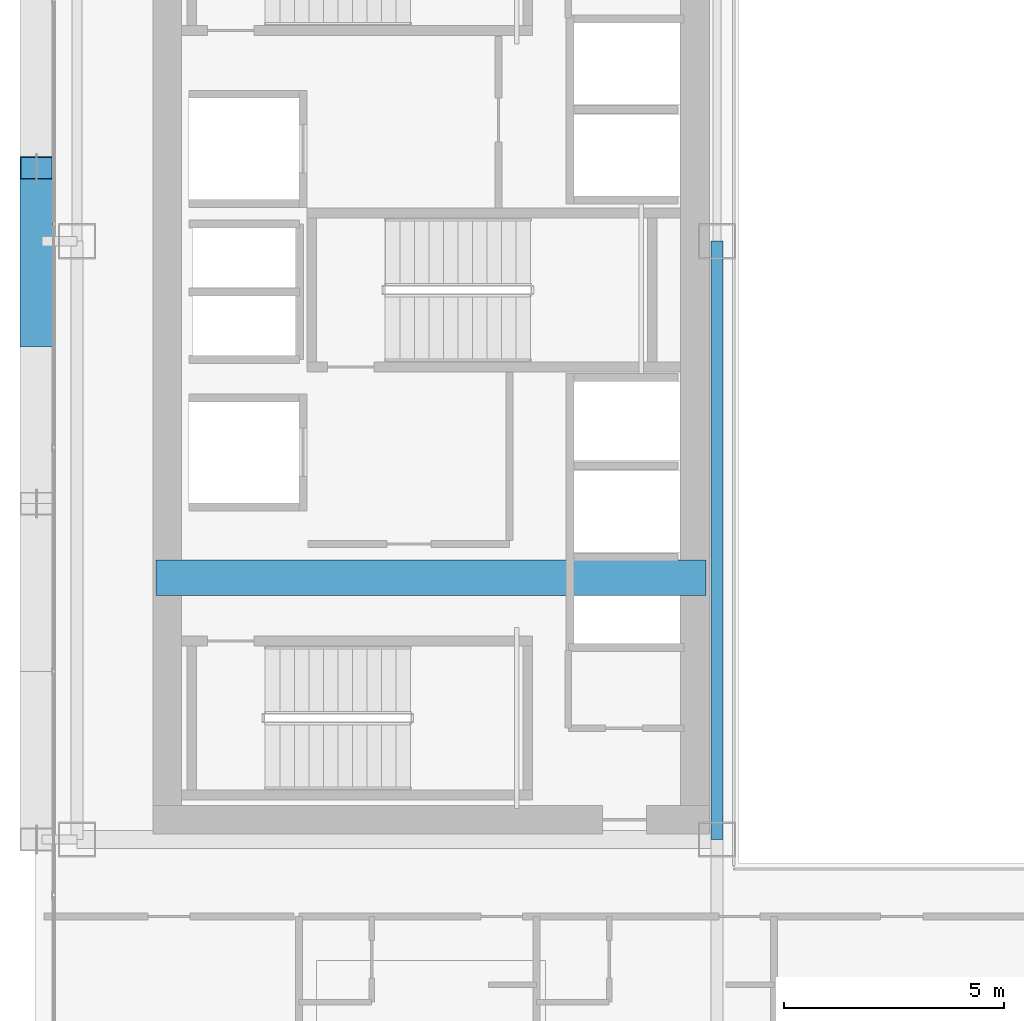
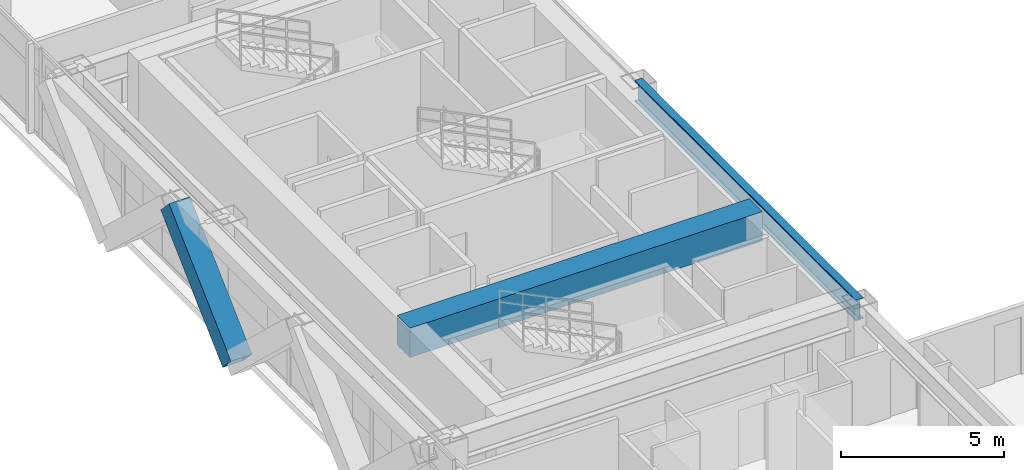
# One storey, part 7 of 35: 2 beams, 1 member.
"""IFC4 building model written with IfcOpenShell, lengths in metres."""

from ifc_helpers import new_model, si_unit, direction, frame, origin, origin_2d, place, context, subcontext, project, spatial, rectangle, hollow_rectangle, i_section, extrude, source, transform, mapped, material, material_profile, profile_set, type_object, element, save


model = new_model("IFC4")

# Units and contexts
model_context = context("Model", 3, precision=1e-05, world=origin(), true_north=direction((0.0, 1.0)))
body_context = subcontext(model_context, "Body", "Model", "MODEL_VIEW")
ifc_project = project(units=[si_unit("LENGTHUNIT", "METRE"), si_unit("AREAUNIT", "SQUARE_METRE"), si_unit("VOLUMEUNIT", "CUBIC_METRE"), si_unit("PLANEANGLEUNIT", "RADIAN"), si_unit("MASSUNIT", "GRAM", prefix="KILO")], contexts=[model_context])

# Site, building, storey
site_placement = place(None, origin())
site = spatial("IfcSite", under=ifc_project, at=site_placement, CompositionType="ELEMENT")
building_placement = place(site_placement, origin())
building = spatial("IfcBuilding", under=site, at=building_placement, Name="Ocotamira Hotel", CompositionType="ELEMENT")
storey_placement = place(building_placement, frame((0.0, 0.0, 122.39990234375)))
storey = spatial("IfcBuildingStorey", under=building, at=storey_placement, Name="L30", CompositionType="ELEMENT", Elevation=122.39990234375)

# Beams
ifc_material_1 = material(Name="Concrete C60/75", Category="concrete")
ifc_material_profile_1 = material_profile(ifc_material_1, rectangle(XDim=0.800048828125, YDim=1.10009765625, at=origin_2d()), Name="RC800X1100")
ifc_profile_set_1 = profile_set([ifc_material_profile_1], Name="Concrete C60/75")
beam_type_1 = type_object("IfcBeamType", Name="BM-LINK-RC800", PredefinedType="LINTEL", material=ifc_profile_set_1)
shared_shape_1 = source(origin(), body_context, "Body", "SweptSolid", [
    extrude(rectangle(XDim=0.800048828125, YDim=1.10009765625, at=origin_2d()), origin(), (0.0, 0.0, 1.0), 12.5),
])
beam_1_placement = place(storey_placement, frame((10.75, 20.5, 2.81005859375), z_axis=(1.0, 0.0, 0.0), x_axis=(0.0, 1.0, 0.0)))
element("IfcBeam", 1, at=beam_1_placement, inside=storey, type_object=beam_type_1, Name="L30 West Core Coupling Beam", PredefinedType="LINTEL", context=body_context, shape_type="MappedRepresentation", body=[
    mapped(shared_shape_1, transform((0.0, 0.0, 0.0), scale=1.0)),
])
ifc_material_2 = material(Name="Steel ASTM A992 Grade 50", Category="steel")
ifc_material_profile_2 = material_profile(ifc_material_2, i_section(OverallWidth=0.26611328125, OverallDepth=0.779052734375, WebThickness=0.0166015625, FlangeThickness=0.030029296875, FilletRadius=0.01806640625, at=origin_2d()), Name="W30X148")
ifc_profile_set_2 = profile_set([ifc_material_profile_2], Name="Steel ASTM A992 Grade 50")
beam_type_2 = type_object("IfcBeamType", Name="BM-GIRD-W30X148", PredefinedType="BEAM", material=ifc_profile_set_2)
shared_shape_2 = source(origin(), body_context, "Body", "SweptSolid", [
    extrude(i_section(OverallWidth=0.26611328125, OverallDepth=0.779052734375, WebThickness=0.0166015625, FlangeThickness=0.030029296875, FilletRadius=0.01806640625, at=origin_2d()), origin(), (0.0, 0.0, 1.0), 13.599853515625),
])
beam_2_placement = place(storey_placement, frame((23.5, 14.550048828125, 2.970703125), z_axis=(0.0, 1.0, 0.0), x_axis=(-1.0, 0.0, 0.0)))
element("IfcBeam", 2, at=beam_2_placement, inside=storey, type_object=beam_type_2, Name="L30 Beam X23.5 Y14.55-28.15", PredefinedType="BEAM", context=body_context, shape_type="MappedRepresentation", body=[
    mapped(shared_shape_2, transform((0.0, 0.0, 0.0), scale=1.0)),
])

# Member
ifc_material_3 = material(Name="Pale-metal coated steel ASTM A913 Grade 65", Category="steel")
ifc_material_profile_3 = material_profile(ifc_material_3, hollow_rectangle(XDim=0.75, YDim=0.75, WallThickness=0.028076171875, at=origin_2d()), Name="BOX750X750X28")
ifc_profile_set_3 = profile_set([ifc_material_profile_3], Name="Pale-metal coated steel ASTM A913 Grade 65")
member_type = type_object("IfcMemberType", Name="MEM-EXO-BOX750", PredefinedType="BRACE", material=ifc_profile_set_3)
shared_shape_3 = source(origin(), body_context, "Body", "SweptSolid", [
    extrude(hollow_rectangle(XDim=0.75, YDim=0.75, WallThickness=0.028076171875, at=origin_2d()), origin(), (0.0, 0.0, 1.0), 5.24658203125),
])
member_placement = place(storey_placement, frame((8.030029296875, 26.0, -0.489990234375), z_axis=(0.0, 0.727442733726, 0.686168397078), x_axis=(-1.0, 0.0, 0.0)))
element("IfcMember", 3, at=member_placement, inside=storey, type_object=member_type, Name="L30 Exoskeleton Diagrid W1.2", PredefinedType="BRACE", context=body_context, shape_type="MappedRepresentation", body=[
    mapped(shared_shape_3, transform((0.0, 0.0, 0.0), scale=1.0)),
])

save(model, "model.ifc")
